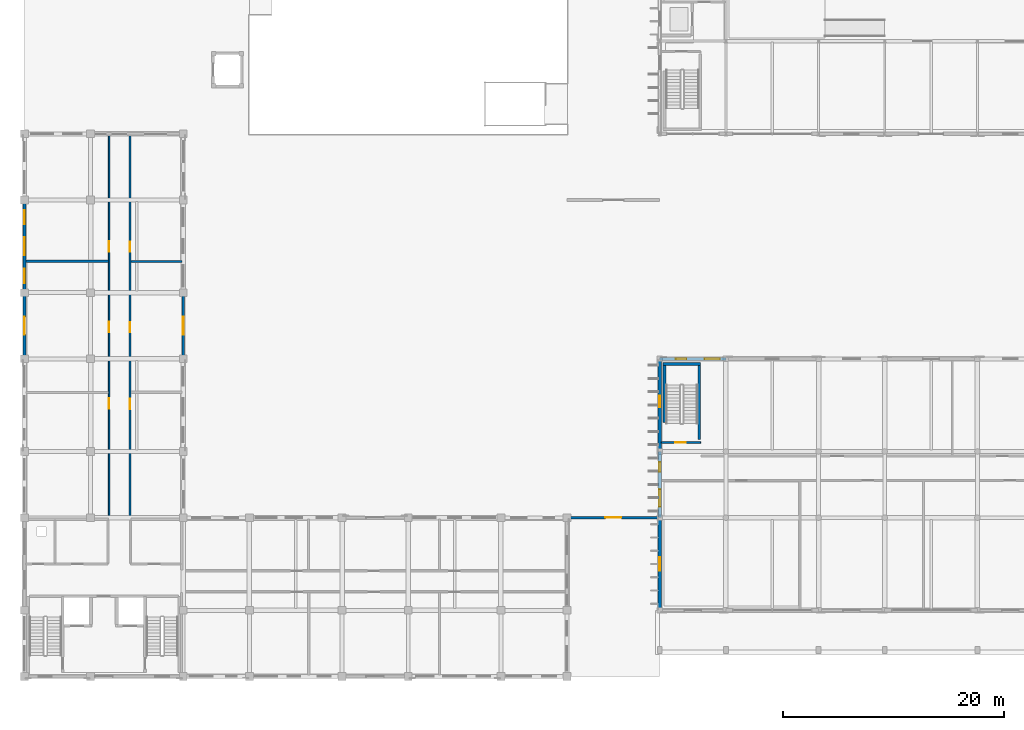
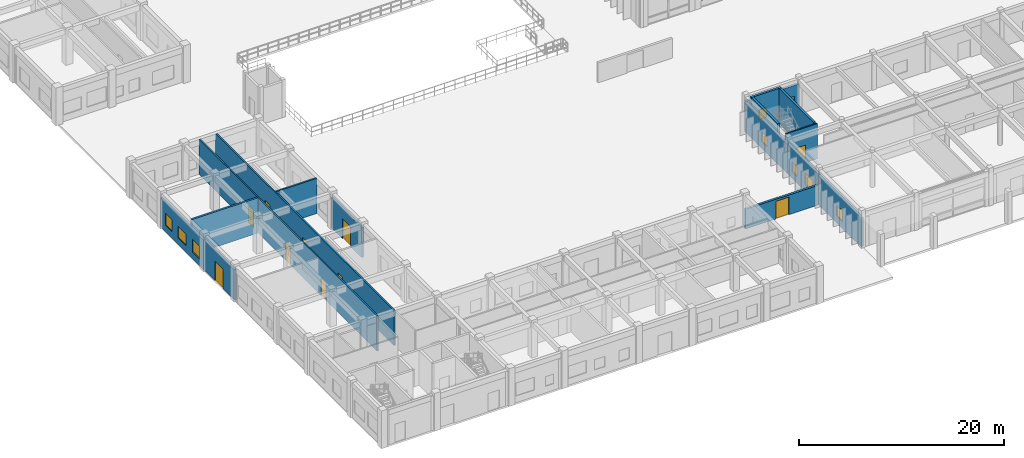
# One storey, part 29 of 67: 16 walls, 10 doors, 9 windows, 19 openings.
"""IFC4 building model written with IfcOpenShell, lengths in metres."""

from ifc_helpers import new_model, si_unit, direction, frame, frame_2d, origin, place, context, subcontext, project, spatial, rectangle, extrude, material, layer, layer_set, type_object, element, fill, save


model = new_model("IFC4")

# Units and contexts
model_context = context("Model", 3, precision=1e-05, world=origin(), true_north=direction((0.0, 1.0)))
body_context = subcontext(model_context, "Body", "Model", "MODEL_VIEW")
ifc_project = project(units=[si_unit("LENGTHUNIT", "METRE"), si_unit("AREAUNIT", "SQUARE_METRE"), si_unit("VOLUMEUNIT", "CUBIC_METRE"), si_unit("PLANEANGLEUNIT", "RADIAN"), si_unit("MASSUNIT", "GRAM", prefix="KILO"), si_unit("THERMODYNAMICTEMPERATUREUNIT", "KELVIN")], contexts=[model_context])

# Site, building, storey
site_placement = place(None, origin())
site = spatial("IfcSite", under=ifc_project, at=site_placement, CompositionType="ELEMENT")
building_placement = place(site_placement, origin())
building = spatial("IfcBuilding", under=site, at=building_placement, Name="Thalorik Housing Commons", CompositionType="ELEMENT")
storey_placement = place(building_placement, origin())
storey = spatial("IfcBuildingStorey", under=building, at=storey_placement, Name="L00", CompositionType="ELEMENT", Elevation=0.0)

# Walls
ifc_material_1 = material(Name="Concrete C40/50", Category="concrete")
ifc_layer_1 = layer(ifc_material_1, 0.25, Name="Concrete C40/50", Category="concrete")
ifc_layer_set_1 = layer_set([ifc_layer_1], Name="Concrete C40/50")
wall_type_1 = type_object("IfcWallType", Name="ARC-WAL-CORE-250", PredefinedType="SHEAR", material=ifc_layer_set_1)
wall_1_placement = place(storey_placement, frame((69.574951171875, 29.89990234375, 0.0), z_axis=(0.0, 0.0, 1.0), x_axis=(0.0, 1.0, 0.0)))
element("IfcWall", 1, at=wall_1_placement, inside=storey, type_object=wall_type_1, Name="L00 Stair ST-S1 Structural Support Wall L", PredefinedType="SHEAR", context=body_context, shape_type="SweptSolid", body=[
    extrude(rectangle(XDim=6.7001953125, YDim=0.25, at=frame_2d((3.35009765625, 0.0))), origin(), (0.0, 0.0, 1.0), 4.199951171875),
])
wall_2_placement = place(storey_placement, frame((66.425048828125, 31.449951171875, 0.0), z_axis=(0.0, 0.0, 1.0), x_axis=(0.0, 1.0, 0.0)))
element("IfcWall", 2, at=wall_2_placement, inside=storey, type_object=wall_type_1, Name="L00 Stair ST-S1 Structural Support Wall R", PredefinedType="SHEAR", context=body_context, shape_type="SweptSolid", body=[
    extrude(rectangle(XDim=5.150146484375, YDim=0.25, at=frame_2d((2.5751953125, 0.0))), origin(), (0.0, 0.0, 1.0), 4.199951171875),
])
wall_3_placement = place(storey_placement, frame((69.699951171875, 36.72509765625, 0.0), z_axis=(0.0, 0.0, 1.0), x_axis=(-1.0, 0.0, 0.0)))
element("IfcWall", 3, at=wall_3_placement, inside=storey, type_object=wall_type_1, Name="L00 Stair ST-S1 Structural Support Wall F", PredefinedType="SHEAR", context=body_context, shape_type="SweptSolid", body=[
    extrude(rectangle(XDim=3.39990234375, YDim=0.25, at=frame_2d((1.699951171875, 0.0))), origin(), (0.0, 0.0, 1.0), 4.199951171875),
])

# Wall, openings, doors
ifc_material_2 = material(Name="Masonry fire-rated corridor wall", Category="masonry")
ifc_layer_2 = layer(ifc_material_2, 0.14990234375, Name="Masonry fire-rated corridor wall", Category="masonry")
ifc_layer_set_2 = layer_set([ifc_layer_2], Name="Masonry fire-rated corridor wall")
wall_type_2 = type_object("IfcWallType", Name="ARC-WAL-CORR-150", PredefinedType="PARTITIONING", material=ifc_layer_set_2)
wall_4_placement = place(storey_placement, frame((16.080078125, 22.659912109375, 0.0), z_axis=(0.0, 0.0, 1.0), x_axis=(0.0, 1.0, 0.0)))
wall_4 = element("IfcWall", 4, at=wall_4_placement, inside=storey, type_object=wall_type_2, Name="L00 Block C W Corridor Wall 1", PredefinedType="PARTITIONING", context=body_context, shape_type="SweptSolid", body=[
    extrude(rectangle(XDim=34.815673828125, YDim=0.14990234375, at=frame_2d((17.40771484375, 0.0))), origin(), (0.0, 0.0, 1.0), 4.199951171875),
])
opening_1_placement = place(wall_4_placement, frame((9.99560546875, 0.0, 0.0)))
opening_1 = element("IfcOpeningElement", 5, at=opening_1_placement, cuts=wall_4, Name="Opening ID-1574", PredefinedType="OPENING", context=body_context, shape_type="SweptSolid", body=[
    extrude(rectangle(XDim=0.949951171875, YDim=2.10009765625, at=frame_2d((0.47509765625, 1.050048828125))), frame((0.0, 0.0849609375, 0.0), z_axis=(0.0, -1.0, 0.0), x_axis=(1.0, 0.0, 0.0)), (0.0, 0.0, 1.0), 0.169921875),
])
opening_2_placement = place(wall_4_placement, frame((16.965087890625, 0.0, 0.0)))
opening_2 = element("IfcOpeningElement", 6, at=opening_2_placement, cuts=wall_4, Name="Opening ID-1575", PredefinedType="OPENING", context=body_context, shape_type="SweptSolid", body=[
    extrude(rectangle(XDim=0.949951171875, YDim=2.10009765625, at=frame_2d((0.47509765625, 1.050048828125))), frame((0.0, 0.0849609375, 0.0), z_axis=(0.0, -1.0, 0.0), x_axis=(1.0, 0.0, 0.0)), (0.0, 0.0, 1.0), 0.169921875),
])
opening_3_placement = place(wall_4_placement, frame((24.248779296875, 0.0, 0.0)))
opening_3 = element("IfcOpeningElement", 7, at=opening_3_placement, cuts=wall_4, Name="Opening ID-1576", PredefinedType="OPENING", context=body_context, shape_type="SweptSolid", body=[
    extrude(rectangle(XDim=0.949951171875, YDim=2.10009765625, at=frame_2d((0.47509765625, 1.050048828125))), frame((0.0, 0.0849609375, 0.0), z_axis=(0.0, -1.0, 0.0), x_axis=(1.0, 0.0, 0.0)), (0.0, 0.0, 1.0), 0.169921875),
])
ifc_material_3 = material(Name="Steel S355", Category="steel")
door_type_1 = type_object("IfcDoorType", Name="ARC-DR-FD60-950", OperationType="NOTDEFINED", PredefinedType="DOOR", material=ifc_material_3)
door_1_placement = place(opening_1_placement, origin())
door_1 = element("IfcDoor", 8, at=door_1_placement, inside=storey, type_object=door_type_1, Name="L00 Residents Lounge Entrance Door", OperationType="SINGLE_SWING_LEFT", OverallHeight=2.10009765625, OverallWidth=0.949951171875, PredefinedType="DOOR", context=body_context, shape_type="SweptSolid", body=[
    extrude(rectangle(XDim=0.949951171875, YDim=2.10009765625, at=frame_2d((0.47509765625, 1.050048828125))), frame((0.0, 0.02490234375, 0.0), z_axis=(0.0, -1.0, 0.0), x_axis=(1.0, 0.0, 0.0)), (0.0, 0.0, 1.0), 0.050048828125),
])
fill(opening_1, door_1)
door_2_placement = place(opening_2_placement, origin())
door_2 = element("IfcDoor", 9, at=door_2_placement, inside=storey, type_object=door_type_1, Name="L00 Bicycle Repair Workshop Entrance Door", OperationType="SINGLE_SWING_RIGHT", OverallHeight=2.10009765625, OverallWidth=0.949951171875, PredefinedType="DOOR", context=body_context, shape_type="SweptSolid", body=[
    extrude(rectangle(XDim=0.949951171875, YDim=2.10009765625, at=frame_2d((0.47509765625, 1.050048828125))), frame((0.0, 0.02490234375, 0.0), z_axis=(0.0, -1.0, 0.0), x_axis=(1.0, 0.0, 0.0)), (0.0, 0.0, 1.0), 0.050048828125),
])
fill(opening_2, door_2)
door_3_placement = place(opening_3_placement, origin())
door_3 = element("IfcDoor", 10, at=door_3_placement, inside=storey, type_object=door_type_1, Name="L00 Cooperative Parcel Room Entrance Door", OperationType="SINGLE_SWING_LEFT", OverallHeight=2.10009765625, OverallWidth=0.949951171875, PredefinedType="DOOR", context=body_context, shape_type="SweptSolid", body=[
    extrude(rectangle(XDim=0.949951171875, YDim=2.10009765625, at=frame_2d((0.47509765625, 1.050048828125))), frame((0.0, 0.02490234375, 0.0), z_axis=(0.0, -1.0, 0.0), x_axis=(1.0, 0.0, 0.0)), (0.0, 0.0, 1.0), 0.050048828125),
])
fill(opening_3, door_3)

ifc_layer_3 = layer(ifc_material_2, 0.1650390625, Name="Masonry fire-rated corridor wall", Category="masonry")
ifc_layer_set_3 = layer_set([ifc_layer_3], Name="Masonry fire-rated corridor wall")
wall_type_3 = type_object("IfcWallType", Name="ARC-WAL-CORR-165", PredefinedType="PARTITIONING", material=ifc_layer_set_3)
wall_5_placement = place(storey_placement, frame((17.97998046875, 22.659912109375, 0.0), z_axis=(0.0, 0.0, 1.0), x_axis=(0.0, 1.0, 0.0)))
wall_5 = element("IfcWall", 11, at=wall_5_placement, inside=storey, type_object=wall_type_3, Name="L00 Block C W Corridor Wall 2", PredefinedType="PARTITIONING", context=body_context, shape_type="SweptSolid", body=[
    extrude(rectangle(XDim=34.815673828125, YDim=0.1650390625, at=frame_2d((17.40771484375, 0.0))), origin(), (0.0, 0.0, 1.0), 4.199951171875),
])
opening_4_placement = place(wall_5_placement, frame((9.98583984375, 0.0, 0.0)))
opening_4 = element("IfcOpeningElement", 12, at=opening_4_placement, cuts=wall_5, Name="Opening ID-1577", PredefinedType="OPENING", context=body_context, shape_type="SweptSolid", body=[
    extrude(rectangle(XDim=0.919921875, YDim=2.10009765625, at=frame_2d((0.4599609375, 1.050048828125))), frame((0.0, 0.092529296875, 0.0), z_axis=(0.0, -1.0, 0.0), x_axis=(1.0, 0.0, 0.0)), (0.0, 0.0, 1.0), 0.18505859375),
])
opening_5_placement = place(wall_5_placement, frame((16.9599609375, 0.0, 0.0)))
opening_5 = element("IfcOpeningElement", 13, at=opening_5_placement, cuts=wall_5, Name="Opening ID-1578", PredefinedType="OPENING", context=body_context, shape_type="SweptSolid", body=[
    extrude(rectangle(XDim=0.919921875, YDim=2.10009765625, at=frame_2d((0.4599609375, 1.050048828125))), frame((0.0, 0.092529296875, 0.0), z_axis=(0.0, -1.0, 0.0), x_axis=(1.0, 0.0, 0.0)), (0.0, 0.0, 1.0), 0.18505859375),
])
opening_6_placement = place(wall_5_placement, frame((24.248046875, 0.0, 0.0)))
opening_6 = element("IfcOpeningElement", 14, at=opening_6_placement, cuts=wall_5, Name="Opening ID-1579", PredefinedType="OPENING", context=body_context, shape_type="SweptSolid", body=[
    extrude(rectangle(XDim=0.919921875, YDim=2.10009765625, at=frame_2d((0.4599609375, 1.050048828125))), frame((0.0, 0.092529296875, 0.0), z_axis=(0.0, -1.0, 0.0), x_axis=(1.0, 0.0, 0.0)), (0.0, 0.0, 1.0), 0.18505859375),
])
ifc_material_4 = material(Name="Solid core hardwood timber", Category="wood")
door_type_2 = type_object("IfcDoorType", Name="ARC-DR-FD30-920", OperationType="NOTDEFINED", PredefinedType="DOOR", material=ifc_material_4)
door_4_placement = place(opening_4_placement, origin())
door_4 = element("IfcDoor", 15, at=door_4_placement, inside=storey, type_object=door_type_2, Name="L00 Residents Cooperative Library Door", OperationType="SINGLE_SWING_RIGHT", OverallHeight=2.10009765625, OverallWidth=0.919921875, PredefinedType="DOOR", context=body_context, shape_type="SweptSolid", body=[
    extrude(rectangle(XDim=0.919921875, YDim=2.10009765625, at=frame_2d((0.4599609375, 1.050048828125))), frame((0.0, 0.02490234375, 0.0), z_axis=(0.0, -1.0, 0.0), x_axis=(1.0, 0.0, 0.0)), (0.0, 0.0, 1.0), 0.050048828125),
])
fill(opening_4, door_4)
door_5_placement = place(opening_5_placement, origin())
door_5 = element("IfcDoor", 16, at=door_5_placement, inside=storey, type_object=door_type_2, Name="L00 Community Youth Studio Door", OperationType="SINGLE_SWING_LEFT", OverallHeight=2.10009765625, OverallWidth=0.919921875, PredefinedType="DOOR", context=body_context, shape_type="SweptSolid", body=[
    extrude(rectangle(XDim=0.919921875, YDim=2.10009765625, at=frame_2d((0.4599609375, 1.050048828125))), frame((0.0, 0.02490234375, 0.0), z_axis=(0.0, -1.0, 0.0), x_axis=(1.0, 0.0, 0.0)), (0.0, 0.0, 1.0), 0.050048828125),
])
fill(opening_5, door_5)
door_6_placement = place(opening_6_placement, origin())
door_6 = element("IfcDoor", 17, at=door_6_placement, inside=storey, type_object=door_type_2, Name="L00 Senior Day Lounge Door", OperationType="SINGLE_SWING_RIGHT", OverallHeight=2.10009765625, OverallWidth=0.919921875, PredefinedType="DOOR", context=body_context, shape_type="SweptSolid", body=[
    extrude(rectangle(XDim=0.919921875, YDim=2.10009765625, at=frame_2d((0.4599609375, 1.050048828125))), frame((0.0, 0.02490234375, 0.0), z_axis=(0.0, -1.0, 0.0), x_axis=(1.0, 0.0, 0.0)), (0.0, 0.0, 1.0), 0.050048828125),
])
fill(opening_6, door_6)

# Wall, opening, door
ifc_material_5 = material(Name="White precast concrete C40/50", Category="concrete")
ifc_layer_4 = layer(ifc_material_5, 0.2451171875, Name="White precast concrete C40/50", Category="concrete")
ifc_layer_set_4 = layer_set([ifc_layer_4], Name="White precast concrete C40/50")
wall_type_4 = type_object("IfcWallType", Name="ARC-WAL-EXT-245", PredefinedType="STANDARD", material=ifc_layer_set_4)
wall_6_placement = place(storey_placement, frame((22.800048828125, 37.199951171875, 0.0), z_axis=(0.0, 0.0, 1.0), x_axis=(0.0, 1.0, 0.0)))
wall_6 = element("IfcWall", 18, at=wall_6_placement, inside=storey, type_object=wall_type_4, Name="L00 Exterior Wall WAL-EXT-L00-C-0823", PredefinedType="STANDARD", context=body_context, shape_type="SweptSolid", body=[
    extrude(rectangle(XDim=6.0, YDim=0.2451171875, at=frame_2d((3.0, 0.0))), origin(), (0.0, 0.0, 1.0), 3.5849609375),
])
opening_7_placement = place(wall_6_placement, frame((2.199951171875, 0.0, 0.0)))
opening_7 = element("IfcOpeningElement", 19, at=opening_7_placement, cuts=wall_6, Name="Opening ED-0281", PredefinedType="OPENING", context=body_context, shape_type="SweptSolid", body=[
    extrude(rectangle(XDim=1.60009765625, YDim=2.35009765625, at=frame_2d((0.800048828125, 1.175048828125))), frame((0.0, 0.132568359375, 0.0), z_axis=(0.0, -1.0, 0.0), x_axis=(1.0, 0.0, 0.0)), (0.0, 0.0, 1.0), 0.26513671875),
])
ifc_material_6 = material(Name="Anodised aluminium and laminated safety glass", Category="aluminium")
door_type_3 = type_object("IfcDoorType", Name="ARC-DR-EXT-LOB-1600", OperationType="NOTDEFINED", PredefinedType="DOOR", material=ifc_material_6)
door_7_placement = place(opening_7_placement, frame((1.60009765625, 0.0, 0.0), z_axis=(0.0, 0.0, 1.0), x_axis=(-1.0, 0.0, 0.0)))
door_7 = element("IfcDoor", 20, at=door_7_placement, inside=storey, type_object=door_type_3, Name="L00 Block C Courtyard Entrance Door", OperationType="DOUBLE_DOOR_SINGLE_SWING", OverallHeight=2.35009765625, OverallWidth=1.60009765625, PredefinedType="DOOR", context=body_context, shape_type="SweptSolid", body=[
    extrude(rectangle(XDim=1.60009765625, YDim=2.35009765625, at=frame_2d((0.800048828125, 1.175048828125))), frame((0.0, 0.02490234375, 0.0), z_axis=(0.0, -1.0, 0.0), x_axis=(1.0, 0.0, 0.0)), (0.0, 0.0, 1.0), 0.050048828125),
])
fill(opening_7, door_7)

# Wall, openings, windows
wall_7_placement = place(storey_placement, frame((8.39990234375, 51.60009765625, 0.0), z_axis=(0.0, 0.0, 1.0), x_axis=(0.0, -1.0, 0.0)))
wall_7 = element("IfcWall", 21, at=wall_7_placement, inside=storey, type_object=wall_type_4, Name="L00 Exterior Wall WAL-EXT-L00-C-0829", PredefinedType="STANDARD", context=body_context, shape_type="SweptSolid", body=[
    extrude(rectangle(XDim=8.400146484375, YDim=0.2451171875, at=frame_2d((4.2001953125, 0.0))), origin(), (0.0, 0.0, 1.0), 3.485107421875),
])
opening_8_placement = place(wall_7_placement, frame((0.945068359375, 0.0, 0.780029296875)))
opening_8 = element("IfcOpeningElement", 22, at=opening_8_placement, cuts=wall_7, Name="Opening W-47", PredefinedType="OPENING", context=body_context, shape_type="SweptSolid", body=[
    extrude(rectangle(XDim=1.25, YDim=1.449951171875, at=frame_2d((0.625, 0.72509765625))), frame((0.0, 0.132568359375, 0.0), z_axis=(0.0, -1.0, 0.0), x_axis=(1.0, 0.0, 0.0)), (0.0, 0.0, 1.0), 0.26513671875),
])
opening_9_placement = place(wall_7_placement, frame((3.3798828125, 0.0, 0.780029296875)))
opening_9 = element("IfcOpeningElement", 23, at=opening_9_placement, cuts=wall_7, Name="Opening W-54", PredefinedType="OPENING", context=body_context, shape_type="SweptSolid", body=[
    extrude(rectangle(XDim=1.6201171875, YDim=1.3798828125, at=frame_2d((0.81005859375, 0.68994140625))), frame((0.0, 0.132568359375, 0.0), z_axis=(0.0, -1.0, 0.0), x_axis=(1.0, 0.0, 0.0)), (0.0, 0.0, 1.0), 0.26513671875),
])
opening_10_placement = place(wall_7_placement, frame((6.215087890625, 0.0, 0.780029296875)))
opening_10 = element("IfcOpeningElement", 24, at=opening_10_placement, cuts=wall_7, Name="Opening W-07", PredefinedType="OPENING", context=body_context, shape_type="SweptSolid", body=[
    extrude(rectangle(XDim=1.35009765625, YDim=1.550048828125, at=frame_2d((0.675048828125, 0.77490234375))), frame((0.0, 0.132568359375, 0.0), z_axis=(0.0, -1.0, 0.0), x_axis=(1.0, 0.0, 0.0)), (0.0, 0.0, 1.0), 0.26513671875),
])
ifc_material_7 = material(Name="Anodised aluminium and solar-control low-E glass", Category="aluminium")
window_type_1 = type_object("IfcWindowType", Name="ARC-WIN-07", PartitioningType="SINGLE_PANEL", PredefinedType="WINDOW", material=ifc_material_7)
window_1_placement = place(opening_10_placement, origin())
window_1 = element("IfcWindow", 25, at=window_1_placement, inside=storey, type_object=window_type_1, Name="L00 Facade Window 1539", OverallHeight=1.550048828125, OverallWidth=1.35009765625, PartitioningType="SINGLE_PANEL", PredefinedType="WINDOW", context=body_context, shape_type="SweptSolid", body=[
    extrude(rectangle(XDim=1.35009765625, YDim=1.550048828125, at=frame_2d((0.675048828125, 0.77490234375))), frame((0.0, 0.030029296875, 0.0), z_axis=(0.0, -1.0, 0.0), x_axis=(1.0, 0.0, 0.0)), (0.0, 0.0, 1.0), 0.06005859375),
])
fill(opening_10, window_1)
window_type_2 = type_object("IfcWindowType", Name="ARC-WIN-47", PartitioningType="SINGLE_PANEL", PredefinedType="WINDOW", material=ifc_material_7)
window_2_placement = place(opening_8_placement, origin())
window_2 = element("IfcWindow", 26, at=window_2_placement, inside=storey, type_object=window_type_2, Name="L00 Facade Window 1537", OverallHeight=1.449951171875, OverallWidth=1.25, PartitioningType="SINGLE_PANEL", PredefinedType="WINDOW", context=body_context, shape_type="SweptSolid", body=[
    extrude(rectangle(XDim=1.25, YDim=1.449951171875, at=frame_2d((0.625, 0.72509765625))), frame((0.0, 0.030029296875, 0.0), z_axis=(0.0, -1.0, 0.0), x_axis=(1.0, 0.0, 0.0)), (0.0, 0.0, 1.0), 0.06005859375),
])
fill(opening_8, window_2)
window_type_3 = type_object("IfcWindowType", Name="ARC-WIN-54", PartitioningType="DOUBLE_PANEL_VERTICAL", PredefinedType="WINDOW", material=ifc_material_7)
window_3_placement = place(opening_9_placement, origin())
window_3 = element("IfcWindow", 27, at=window_3_placement, inside=storey, type_object=window_type_3, Name="L00 Facade Window 1538", OverallHeight=1.3798828125, OverallWidth=1.6201171875, PartitioningType="DOUBLE_PANEL_VERTICAL", PredefinedType="WINDOW", context=body_context, shape_type="SweptSolid", body=[
    extrude(rectangle(XDim=1.6201171875, YDim=1.3798828125, at=frame_2d((0.81005859375, 0.68994140625))), frame((0.0, 0.030029296875, 0.0), z_axis=(0.0, -1.0, 0.0), x_axis=(1.0, 0.0, 0.0)), (0.0, 0.0, 1.0), 0.06005859375),
])
fill(opening_9, window_3)

# Wall, opening, door
wall_8_placement = place(storey_placement, frame((8.39990234375, 43.199951171875, 0.0), z_axis=(0.0, 0.0, 1.0), x_axis=(0.0, -1.0, 0.0)))
wall_8 = element("IfcWall", 28, at=wall_8_placement, inside=storey, type_object=wall_type_4, Name="L00 Exterior Wall WAL-EXT-L00-C-0830", PredefinedType="STANDARD", context=body_context, shape_type="SweptSolid", body=[
    extrude(rectangle(XDim=6.0, YDim=0.2451171875, at=frame_2d((3.0, 0.0))), origin(), (0.0, 0.0, 1.0), 3.5849609375),
])
opening_11_placement = place(wall_8_placement, frame((2.199951171875, 0.0, 0.0)))
opening_11 = element("IfcOpeningElement", 29, at=opening_11_placement, cuts=wall_8, Name="Opening ED-0282", PredefinedType="OPENING", context=body_context, shape_type="SweptSolid", body=[
    extrude(rectangle(XDim=1.60009765625, YDim=2.35009765625, at=frame_2d((0.800048828125, 1.175048828125))), frame((0.0, 0.132568359375, 0.0), z_axis=(0.0, -1.0, 0.0), x_axis=(1.0, 0.0, 0.0)), (0.0, 0.0, 1.0), 0.26513671875),
])
door_8_placement = place(opening_11_placement, frame((1.60009765625, 0.0, 0.0), z_axis=(0.0, 0.0, 1.0), x_axis=(-1.0, 0.0, 0.0)))
door_8 = element("IfcDoor", 30, at=door_8_placement, inside=storey, type_object=door_type_3, Name="L00 Block C Courtyard Entrance Door", OperationType="DOUBLE_DOOR_SINGLE_SWING", OverallHeight=2.35009765625, OverallWidth=1.60009765625, PredefinedType="DOOR", context=body_context, shape_type="SweptSolid", body=[
    extrude(rectangle(XDim=1.60009765625, YDim=2.35009765625, at=frame_2d((0.800048828125, 1.175048828125))), frame((0.0, 0.02490234375, 0.0), z_axis=(0.0, -1.0, 0.0), x_axis=(1.0, 0.0, 0.0)), (0.0, 0.0, 1.0), 0.050048828125),
])
fill(opening_11, door_8)

wall_9_placement = place(storey_placement, frame((57.60009765625, 22.800048828125, 0.0), z_axis=(0.0, 0.0, 1.0), x_axis=(1.0, 0.0, 0.0)))
wall_9 = element("IfcWall", 31, at=wall_9_placement, inside=storey, type_object=wall_type_4, Name="L00 Exterior Wall WAL-L00-CGATE-02", PredefinedType="STANDARD", context=body_context, shape_type="SweptSolid", body=[
    extrude(rectangle(XDim=8.39990234375, YDim=0.2451171875, at=frame_2d((4.199951171875, 0.0))), origin(), (0.0, 0.0, 1.0), 2.35009765625),
])
opening_12_placement = place(wall_9_placement, frame((3.47509765625, 0.0, 0.0)))
opening_12 = element("IfcOpeningElement", 32, at=opening_12_placement, cuts=wall_9, Name="Opening ED-0456", PredefinedType="OPENING", context=body_context, shape_type="SweptSolid", body=[
    extrude(rectangle(XDim=1.449951171875, YDim=2.10009765625, at=frame_2d((0.72509765625, 1.050048828125))), frame((0.0, 0.132568359375, 0.0), z_axis=(0.0, -1.0, 0.0), x_axis=(1.0, 0.0, 0.0)), (0.0, 0.0, 1.0), 0.26513671875),
])
door_type_4 = type_object("IfcDoorType", Name="ARC-GT-COURT-1450", OperationType="NOTDEFINED", PredefinedType="GATE", material=ifc_material_3)
door_9_placement = place(opening_12_placement, frame((1.449951171875, 0.0, 0.0), z_axis=(0.0, 0.0, 1.0), x_axis=(-1.0, 0.0, 0.0)))
door_9 = element("IfcDoor", 33, at=door_9_placement, inside=storey, type_object=door_type_4, Name="L00 Courtyard Access Gate 2", OperationType="SINGLE_SWING_LEFT", OverallHeight=2.10009765625, OverallWidth=1.449951171875, PredefinedType="GATE", context=body_context, shape_type="SweptSolid", body=[
    extrude(rectangle(XDim=1.449951171875, YDim=2.10009765625, at=frame_2d((0.72509765625, 1.050048828125))), frame((0.0, 0.02490234375, 0.0), z_axis=(0.0, -1.0, 0.0), x_axis=(1.0, 0.0, 0.0)), (0.0, 0.0, 1.0), 0.050048828125),
])
fill(opening_12, door_9)

# Wall, openings, windows
ifc_layer_5 = layer(ifc_material_5, 0.27490234375, Name="White precast concrete C40/50", Category="concrete")
ifc_layer_set_5 = layer_set([ifc_layer_5], Name="White precast concrete C40/50")
wall_type_5 = type_object("IfcWallType", Name="ARC-WAL-EXT-275", PredefinedType="STANDARD", material=ifc_layer_set_5)
wall_10_placement = place(storey_placement, frame((72.0, 37.199951171875, 0.0), z_axis=(0.0, 0.0, 1.0), x_axis=(-1.0, 0.0, 0.0)))
wall_10 = element("IfcWall", 34, at=wall_10_placement, inside=storey, type_object=wall_type_5, Name="L00 Exterior Wall WAL-SHOP-L00-1375", PredefinedType="STANDARD", context=body_context, shape_type="SweptSolid", body=[
    extrude(rectangle(XDim=6.0, YDim=0.27490234375, at=frame_2d((3.0, 0.0))), origin(), (0.0, 0.0, 1.0), 3.5849609375),
])
opening_13_placement = place(wall_10_placement, frame((0.554931640625, 0.0, 0.800048828125)))
opening_13 = element("IfcOpeningElement", 35, at=opening_13_placement, cuts=wall_10, Name="Opening W-49", PredefinedType="OPENING", context=body_context, shape_type="SweptSolid", body=[
    extrude(rectangle(XDim=1.3798828125, YDim=1.47998046875, at=frame_2d((0.68994140625, 0.739990234375))), frame((0.0, 0.1474609375, 0.0), z_axis=(0.0, -1.0, 0.0), x_axis=(1.0, 0.0, 0.0)), (0.0, 0.0, 1.0), 0.294921875),
])
opening_14_placement = place(wall_10_placement, frame((3.580078125, 0.0, 0.800048828125)))
opening_14 = element("IfcOpeningElement", 36, at=opening_14_placement, cuts=wall_10, Name="Opening W-43", PredefinedType="OPENING", context=body_context, shape_type="SweptSolid", body=[
    extrude(rectangle(XDim=0.949951171875, YDim=1.14990234375, at=frame_2d((0.47509765625, 0.574951171875))), frame((0.0, 0.1474609375, 0.0), z_axis=(0.0, -1.0, 0.0), x_axis=(1.0, 0.0, 0.0)), (0.0, 0.0, 1.0), 0.294921875),
])
window_type_4 = type_object("IfcWindowType", Name="ARC-WIN-43", PartitioningType="SINGLE_PANEL", PredefinedType="WINDOW", material=ifc_material_7)
window_4_placement = place(opening_14_placement, origin())
window_4 = element("IfcWindow", 37, at=window_4_placement, inside=storey, type_object=window_type_4, Name="L00 Facade Window 2408", OverallHeight=1.14990234375, OverallWidth=0.949951171875, PartitioningType="SINGLE_PANEL", PredefinedType="WINDOW", context=body_context, shape_type="SweptSolid", body=[
    extrude(rectangle(XDim=0.949951171875, YDim=1.14990234375, at=frame_2d((0.47509765625, 0.574951171875))), frame((0.0, 0.030029296875, 0.0), z_axis=(0.0, -1.0, 0.0), x_axis=(1.0, 0.0, 0.0)), (0.0, 0.0, 1.0), 0.06005859375),
])
fill(opening_14, window_4)
window_type_5 = type_object("IfcWindowType", Name="ARC-WIN-49", PartitioningType="SINGLE_PANEL", PredefinedType="WINDOW", material=ifc_material_7)
window_5_placement = place(opening_13_placement, origin())
window_5 = element("IfcWindow", 38, at=window_5_placement, inside=storey, type_object=window_type_5, Name="L00 Facade Window 2407", OverallHeight=1.47998046875, OverallWidth=1.3798828125, PartitioningType="SINGLE_PANEL", PredefinedType="WINDOW", context=body_context, shape_type="SweptSolid", body=[
    extrude(rectangle(XDim=1.3798828125, YDim=1.47998046875, at=frame_2d((0.68994140625, 0.739990234375))), frame((0.0, 0.030029296875, 0.0), z_axis=(0.0, -1.0, 0.0), x_axis=(1.0, 0.0, 0.0)), (0.0, 0.0, 1.0), 0.06005859375),
])
fill(opening_13, window_5)

# Wall, opening, window
wall_11_placement = place(storey_placement, frame((66.0, 37.199951171875, 0.0), z_axis=(0.0, 0.0, 1.0), x_axis=(0.0, -1.0, 0.0)))
wall_11 = element("IfcWall", 39, at=wall_11_placement, inside=storey, type_object=wall_type_5, Name="L00 Exterior Wall WAL-SHOP-L00-1376", PredefinedType="STANDARD", context=body_context, shape_type="SweptSolid", body=[
    extrude(rectangle(XDim=8.39990234375, YDim=0.27490234375, at=frame_2d((4.199951171875, 0.0))), origin(), (0.0, 0.0, 1.0), 3.485107421875),
])
opening_15_placement = place(wall_11_placement, frame((3.360107421875, 0.0, 0.800048828125)))
opening_15 = element("IfcOpeningElement", 40, at=opening_15_placement, cuts=wall_11, Name="Opening W-44", PredefinedType="OPENING", context=body_context, shape_type="SweptSolid", body=[
    extrude(rectangle(XDim=1.050048828125, YDim=1.199951171875, at=frame_2d((0.52490234375, 0.60009765625))), frame((0.0, 0.1474609375, 0.0), z_axis=(0.0, -1.0, 0.0), x_axis=(1.0, 0.0, 0.0)), (0.0, 0.0, 1.0), 0.294921875),
])
window_type_6 = type_object("IfcWindowType", Name="ARC-WIN-44", PartitioningType="SINGLE_PANEL", PredefinedType="WINDOW", material=ifc_material_7)
window_6_placement = place(opening_15_placement, origin())
window_6 = element("IfcWindow", 41, at=window_6_placement, inside=storey, type_object=window_type_6, Name="L00 Facade Window 2409", OverallHeight=1.199951171875, OverallWidth=1.050048828125, PartitioningType="SINGLE_PANEL", PredefinedType="WINDOW", context=body_context, shape_type="SweptSolid", body=[
    extrude(rectangle(XDim=1.050048828125, YDim=1.199951171875, at=frame_2d((0.52490234375, 0.60009765625))), frame((0.0, 0.030029296875, 0.0), z_axis=(0.0, -1.0, 0.0), x_axis=(1.0, 0.0, 0.0)), (0.0, 0.0, 1.0), 0.06005859375),
])
fill(opening_15, window_6)

# Wall, openings, windows
wall_12_placement = place(storey_placement, frame((66.0, 28.800048828125, 0.0), z_axis=(0.0, 0.0, 1.0), x_axis=(0.0, -1.0, 0.0)))
wall_12 = element("IfcWall", 42, at=wall_12_placement, inside=storey, type_object=wall_type_5, Name="L00 Exterior Wall WAL-SHOP-L00-1377", PredefinedType="STANDARD", context=body_context, shape_type="SweptSolid", body=[
    extrude(rectangle(XDim=6.0, YDim=0.27490234375, at=frame_2d((3.0, 0.0))), origin(), (0.0, 0.0, 1.0), 3.5849609375),
])
opening_16_placement = place(wall_12_placement, frame((0.955078125, 0.0, 0.800048828125)))
opening_16 = element("IfcOpeningElement", 43, at=opening_16_placement, cuts=wall_12, Name="Opening W-01", PredefinedType="OPENING", context=body_context, shape_type="SweptSolid", body=[
    extrude(rectangle(XDim=0.89990234375, YDim=1.199951171875, at=frame_2d((0.449951171875, 0.60009765625))), frame((0.0, 0.1474609375, 0.0), z_axis=(0.0, -1.0, 0.0), x_axis=(1.0, 0.0, 0.0)), (0.0, 0.0, 1.0), 0.294921875),
])
opening_17_placement = place(wall_12_placement, frame((3.43994140625, 0.0, 0.800048828125)))
opening_17 = element("IfcOpeningElement", 44, at=opening_17_placement, cuts=wall_12, Name="Opening W-12", PredefinedType="OPENING", context=body_context, shape_type="SweptSolid", body=[
    extrude(rectangle(XDim=1.550048828125, YDim=1.39990234375, at=frame_2d((0.77490234375, 0.699951171875))), frame((0.0, 0.1474609375, 0.0), z_axis=(0.0, -1.0, 0.0), x_axis=(1.0, 0.0, 0.0)), (0.0, 0.0, 1.0), 0.294921875),
])
window_type_7 = type_object("IfcWindowType", Name="ARC-WIN-01", PartitioningType="SINGLE_PANEL", PredefinedType="WINDOW", material=ifc_material_7)
window_7_placement = place(opening_16_placement, origin())
window_7 = element("IfcWindow", 45, at=window_7_placement, inside=storey, type_object=window_type_7, Name="L00 Facade Window 2410", OverallHeight=1.199951171875, OverallWidth=0.89990234375, PartitioningType="SINGLE_PANEL", PredefinedType="WINDOW", context=body_context, shape_type="SweptSolid", body=[
    extrude(rectangle(XDim=0.89990234375, YDim=1.199951171875, at=frame_2d((0.449951171875, 0.60009765625))), frame((0.0, 0.030029296875, 0.0), z_axis=(0.0, -1.0, 0.0), x_axis=(1.0, 0.0, 0.0)), (0.0, 0.0, 1.0), 0.06005859375),
])
fill(opening_16, window_7)
window_type_8 = type_object("IfcWindowType", Name="ARC-WIN-12", PartitioningType="SINGLE_PANEL", PredefinedType="WINDOW", material=ifc_material_7)
window_8_placement = place(opening_17_placement, origin())
window_8 = element("IfcWindow", 46, at=window_8_placement, inside=storey, type_object=window_type_8, Name="L00 Facade Window 2411", OverallHeight=1.39990234375, OverallWidth=1.550048828125, PartitioningType="SINGLE_PANEL", PredefinedType="WINDOW", context=body_context, shape_type="SweptSolid", body=[
    extrude(rectangle(XDim=1.550048828125, YDim=1.39990234375, at=frame_2d((0.77490234375, 0.699951171875))), frame((0.0, 0.030029296875, 0.0), z_axis=(0.0, -1.0, 0.0), x_axis=(1.0, 0.0, 0.0)), (0.0, 0.0, 1.0), 0.06005859375),
])
fill(opening_17, window_8)

# Wall, opening, window
wall_13_placement = place(storey_placement, frame((66.0, 22.800048828125, 0.0), z_axis=(0.0, 0.0, 1.0), x_axis=(0.0, -1.0, 0.0)))
wall_13 = element("IfcWall", 47, at=wall_13_placement, inside=storey, type_object=wall_type_5, Name="L00 Exterior Wall WAL-SHOP-L00-1378", PredefinedType="STANDARD", context=body_context, shape_type="SweptSolid", body=[
    extrude(rectangle(XDim=8.400146484375, YDim=0.27490234375, at=frame_2d((4.2001953125, 0.0))), origin(), (0.0, 0.0, 1.0), 3.485107421875),
])
opening_18_placement = place(wall_13_placement, frame((3.574951171875, 0.0, 0.800048828125)))
opening_18 = element("IfcOpeningElement", 48, at=opening_18_placement, cuts=wall_13, Name="Opening W-46", PredefinedType="OPENING", context=body_context, shape_type="SweptSolid", body=[
    extrude(rectangle(XDim=1.25, YDim=1.300048828125, at=frame_2d((0.625, 0.64990234375))), frame((0.0, 0.1474609375, 0.0), z_axis=(0.0, -1.0, 0.0), x_axis=(1.0, 0.0, 0.0)), (0.0, 0.0, 1.0), 0.294921875),
])
window_type_9 = type_object("IfcWindowType", Name="ARC-WIN-46", PartitioningType="SINGLE_PANEL", PredefinedType="WINDOW", material=ifc_material_7)
window_9_placement = place(opening_18_placement, origin())
window_9 = element("IfcWindow", 49, at=window_9_placement, inside=storey, type_object=window_type_9, Name="L00 Facade Window 2412", OverallHeight=1.300048828125, OverallWidth=1.25, PartitioningType="SINGLE_PANEL", PredefinedType="WINDOW", context=body_context, shape_type="SweptSolid", body=[
    extrude(rectangle(XDim=1.25, YDim=1.300048828125, at=frame_2d((0.625, 0.64990234375))), frame((0.0, 0.030029296875, 0.0), z_axis=(0.0, -1.0, 0.0), x_axis=(1.0, 0.0, 0.0)), (0.0, 0.0, 1.0), 0.06005859375),
])
fill(opening_18, window_9)

# Wall, opening, door
ifc_material_8 = material(Name="Ceramic masonry partition wall", Category="masonry")
ifc_layer_6 = layer(ifc_material_8, 0.14794921875, Name="Ceramic masonry partition wall", Category="masonry")
ifc_layer_set_6 = layer_set([ifc_layer_6], Name="Ceramic masonry partition wall")
wall_type_6 = type_object("IfcWallType", Name="ARC-WAL-PART-150", PredefinedType="PARTITIONING", material=ifc_layer_set_6)
wall_14_placement = place(storey_placement, frame((66.139404296875, 29.6201171875, 0.0), z_axis=(0.0, 0.0, 1.0), x_axis=(1.0, 0.0, 0.0)))
wall_14 = element("IfcWall", 50, at=wall_14_placement, inside=storey, type_object=wall_type_6, Name="L00 Shops West Stair South Wall", PredefinedType="PARTITIONING", context=body_context, shape_type="SweptSolid", body=[
    extrude(rectangle(XDim=3.560546875, YDim=0.14794921875, at=frame_2d((1.7802734375, 0.0))), origin(), (0.0, 0.0, 1.0), 4.199951171875),
])
opening_19_placement = place(wall_14_placement, frame((1.2705078125, 0.0, 0.0)))
opening_19 = element("IfcOpeningElement", 51, at=opening_19_placement, cuts=wall_14, Name="Opening ID-2214", PredefinedType="OPENING", context=body_context, shape_type="SweptSolid", body=[
    extrude(rectangle(XDim=0.949951171875, YDim=2.10009765625, at=frame_2d((0.47509765625, 1.050048828125))), frame((0.0, 0.083984375, 0.0), z_axis=(0.0, -1.0, 0.0), x_axis=(1.0, 0.0, 0.0)), (0.0, 0.0, 1.0), 0.16796875),
])
door_10_placement = place(opening_19_placement, origin())
door_10 = element("IfcDoor", 52, at=door_10_placement, inside=storey, type_object=door_type_1, Name="L00 Stair ST-S1 Fire Door", OperationType="SINGLE_SWING_LEFT", OverallHeight=2.10009765625, OverallWidth=0.949951171875, PredefinedType="DOOR", context=body_context, shape_type="SweptSolid", body=[
    extrude(rectangle(XDim=0.949951171875, YDim=2.10009765625, at=frame_2d((0.47509765625, 1.050048828125))), frame((0.0, 0.02490234375, 0.0), z_axis=(0.0, -1.0, 0.0), x_axis=(1.0, 0.0, 0.0)), (0.0, 0.0, 1.0), 0.050048828125),
])
fill(opening_19, door_10)

# Walls
ifc_material_9 = material(Name="Masonry acoustic blockwork wall", Category="masonry")
ifc_layer_7 = layer(ifc_material_9, 0.18505859375, Name="Masonry acoustic blockwork wall", Category="masonry")
ifc_layer_set_7 = layer_set([ifc_layer_7], Name="Masonry acoustic blockwork wall")
wall_type_7 = type_object("IfcWallType", Name="ARC-WAL-PARTY-185", PredefinedType="PARTITIONING", material=ifc_layer_set_7)
wall_15_placement = place(storey_placement, frame((18.064453125, 46.030029296875, 0.0), z_axis=(0.0, 0.0, 1.0), x_axis=(1.0, 0.0, 0.0)))
element("IfcWall", 53, at=wall_15_placement, inside=storey, type_object=wall_type_7, Name="L00 Inter-Tenancy Wall 2B", PredefinedType="PARTITIONING", context=body_context, shape_type="SweptSolid", body=[
    extrude(rectangle(XDim=4.611083984375, YDim=0.18505859375, at=frame_2d((2.3056640625, 0.0))), origin(), (0.0, 0.0, 1.0), 4.199951171875),
])
ifc_material_10 = material(Name="Precast concrete C40/50 acoustic wall", Category="concrete")
ifc_layer_8 = layer(ifc_material_10, 0.219970703125, Name="Precast concrete C40/50 acoustic wall", Category="concrete")
ifc_layer_set_8 = layer_set([ifc_layer_8], Name="Precast concrete C40/50 acoustic wall")
wall_type_8 = type_object("IfcWallType", Name="ARC-WAL-PARTY-220", PredefinedType="PARTITIONING", material=ifc_layer_set_8)
wall_16_placement = place(storey_placement, frame((8.5244140625, 46.030029296875, 0.0), z_axis=(0.0, 0.0, 1.0), x_axis=(1.0, 0.0, 0.0)))
element("IfcWall", 54, at=wall_16_placement, inside=storey, type_object=wall_type_8, Name="L00 Inter-Tenancy Wall 2A", PredefinedType="PARTITIONING", context=body_context, shape_type="SweptSolid", body=[
    extrude(rectangle(XDim=7.478515625, YDim=0.219970703125, at=frame_2d((3.7392578125, 0.0))), origin(), (0.0, 0.0, 1.0), 4.199951171875),
])

save(model, "model.ifc")
